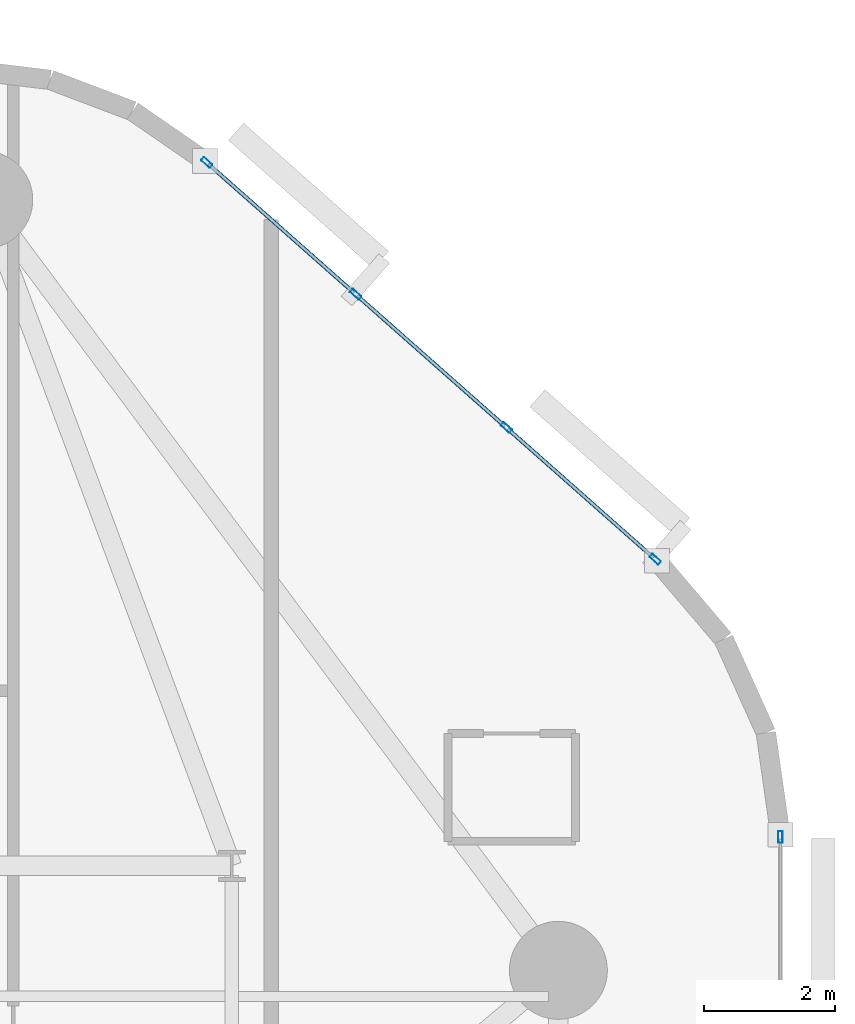
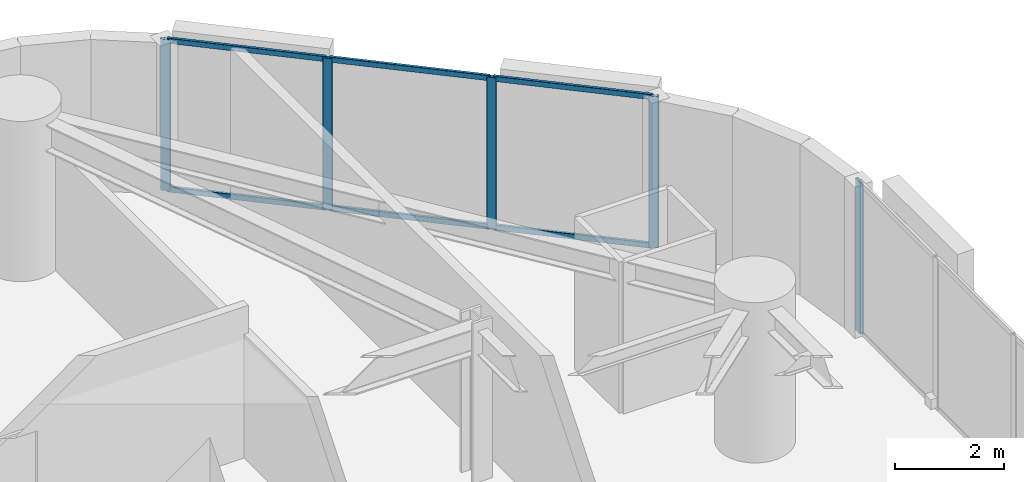
# One storey, part 8 of 17: 11 members, 2 elements without a shape of their own.
"""IFC4 building model written with IfcOpenShell, lengths in metres."""

from ifc_helpers import new_model, si_unit, direction, frame, origin, origin_2d, place, context, subcontext, project, spatial, hollow_rectangle, extrude, material, layer, layer_set, material_profile, profile_set, type_object, element, aggregate, save


model = new_model("IFC4")

# Units and contexts
model_context = context("Model", 3, precision=1e-05, world=origin(), true_north=direction((0.0, 1.0)))
body_context = subcontext(model_context, "Body", "Model", "MODEL_VIEW")
ifc_project = project(units=[si_unit("LENGTHUNIT", "METRE"), si_unit("AREAUNIT", "SQUARE_METRE"), si_unit("VOLUMEUNIT", "CUBIC_METRE"), si_unit("PLANEANGLEUNIT", "RADIAN"), si_unit("MASSUNIT", "GRAM", prefix="KILO")], contexts=[model_context])

# Site, building, storey
site_placement = place(None, origin())
site = spatial("IfcSite", under=ifc_project, at=site_placement, CompositionType="ELEMENT")
building_placement = place(site_placement, origin())
building = spatial("IfcBuilding", under=site, at=building_placement, Name="An Khanh Terracotta Commons", CompositionType="ELEMENT")
storey_placement = place(building_placement, frame((0.0, 0.0, 32.39990234375)))
storey = spatial("IfcBuildingStorey", under=building, at=storey_placement, Name="L08", CompositionType="ELEMENT", Elevation=32.39990234375)

# Curtain wall, member
ifc_material = material(Name="Anodised Aluminium 6063-T6", Category="aluminium")
ifc_layer = layer(ifc_material, 0.199951171875, Name="Anodised Aluminium 6063-T6")
ifc_layer_set = layer_set([ifc_layer], Name="Anodised Aluminium 6063-T6")
curtain_wall_type = type_object("IfcCurtainWallType", Name="CW-SYS-02", PredefinedType="USERDEFINED", material=ifc_layer_set)
curtain_wall_1_placement = place(storey_placement, origin())
curtain_wall_1 = element("IfcCurtainWall", 1, at=curtain_wall_1_placement, inside=storey, type_object=curtain_wall_type, Name="L08 CW-02 Unitised Curtain Wall CW-L08-12", ObjectType="UNITISED CURTAIN WALL", PredefinedType="USERDEFINED")
ifc_material_profile_1 = material_profile(ifc_material, hollow_rectangle(XDim=0.070068359375, YDim=0.179931640625, WallThickness=0.00390625, InnerFilletRadius=0.00390625, OuterFilletRadius=0.008056640625, at=origin_2d()), Name="RHS180x70x4")
ifc_profile_set_1 = profile_set([ifc_material_profile_1], Name="Anodised Aluminium 6063-T6")
member_type_1 = type_object("IfcMemberType", Name="CWM-RHS180x70x4", PredefinedType="MULLION", material=ifc_profile_set_1)
member_1_placement = place(storey_placement, frame((51.60009765625, 34.0419921875, 0.0), z_axis=(0.0, 0.0, 1.0), x_axis=(-1.0, 0.0, 0.0)))
member_1 = element("IfcMember", 2, at=member_1_placement, type_object=member_type_1, Name="CW-02 mullion 8", PredefinedType="MULLION", context=body_context, shape_type="SweptSolid", body=[
    extrude(hollow_rectangle(XDim=0.070068359375, YDim=0.179931640625, WallThickness=0.00390625, InnerFilletRadius=0.00390625, OuterFilletRadius=0.008056640625, at=origin_2d()), origin(), (0.0, 0.0, 1.0), 3.400146484375),
])
aggregate(curtain_wall_1, [member_1])

# Curtain wall, members
curtain_wall_2_placement = place(storey_placement, origin())
curtain_wall_2 = element("IfcCurtainWall", 3, at=curtain_wall_2_placement, inside=storey, type_object=curtain_wall_type, Name="L08 CW-02 Unitised Curtain Wall CW-L08-16", ObjectType="UNITISED CURTAIN WALL", PredefinedType="USERDEFINED")
member_2_placement = place(storey_placement, frame((49.683837890625, 38.295166015625, 0.0), z_axis=(0.0, 0.0, 1.0), x_axis=(-0.662548195415, -0.749019284633, 0.0)))
member_2 = element("IfcMember", 4, at=member_2_placement, type_object=member_type_1, Name="CW-02 mullion 1", PredefinedType="MULLION", context=body_context, shape_type="SweptSolid", body=[
    extrude(hollow_rectangle(XDim=0.070068359375, YDim=0.179931640625, WallThickness=0.00390625, InnerFilletRadius=0.00390625, OuterFilletRadius=0.008056640625, at=origin_2d()), origin(), (0.0, 0.0, 1.0), 3.400146484375),
])
member_3_placement = place(storey_placement, frame((47.403076171875, 40.312744140625, 0.0), z_axis=(0.0, 0.0, 1.0), x_axis=(-0.662548195415, -0.749019284633, 0.0)))
member_3 = element("IfcMember", 5, at=member_3_placement, type_object=member_type_1, Name="CW-02 mullion 2", PredefinedType="MULLION", context=body_context, shape_type="SweptSolid", body=[
    extrude(hollow_rectangle(XDim=0.070068359375, YDim=0.179931640625, WallThickness=0.00390625, InnerFilletRadius=0.00390625, OuterFilletRadius=0.008056640625, at=origin_2d()), origin(), (0.0, 0.0, 1.0), 3.400146484375),
])
member_4_placement = place(storey_placement, frame((45.095947265625, 42.353271484375, 0.0), z_axis=(0.0, 0.0, 1.0), x_axis=(-0.662548195415, -0.749019284633, 0.0)))
member_4 = element("IfcMember", 6, at=member_4_placement, type_object=member_type_1, Name="CW-02 mullion 3", PredefinedType="MULLION", context=body_context, shape_type="SweptSolid", body=[
    extrude(hollow_rectangle(XDim=0.070068359375, YDim=0.179931640625, WallThickness=0.00390625, InnerFilletRadius=0.00390625, OuterFilletRadius=0.008056640625, at=origin_2d()), origin(), (0.0, 0.0, 1.0), 3.400146484375),
])
member_5_placement = place(storey_placement, frame((42.815185546875, 44.370849609375, 0.0), z_axis=(0.0, 0.0, 1.0), x_axis=(-0.662548195415, -0.749019284633, 0.0)))
member_5 = element("IfcMember", 7, at=member_5_placement, type_object=member_type_1, Name="CW-02 mullion 4", PredefinedType="MULLION", context=body_context, shape_type="SweptSolid", body=[
    extrude(hollow_rectangle(XDim=0.070068359375, YDim=0.179931640625, WallThickness=0.00390625, InnerFilletRadius=0.00390625, OuterFilletRadius=0.008056640625, at=origin_2d()), origin(), (0.0, 0.0, 1.0), 3.400146484375),
])
ifc_material_profile_2 = material_profile(ifc_material, hollow_rectangle(XDim=0.06005859375, YDim=0.1201171875, WallThickness=0.003662109375, InnerFilletRadius=0.003662109375, OuterFilletRadius=0.007080078125, at=origin_2d()), Name="RHS120x60x3.6")
ifc_profile_set_2 = profile_set([ifc_material_profile_2], Name="Anodised Aluminium 6063-T6")
member_type_2 = type_object("IfcMemberType", Name="CWT-RHS120x60x3.6", PredefinedType="USERDEFINED", material=ifc_profile_set_2)
member_6_placement = place(storey_placement, frame((49.657470703125, 38.318359375, 0.030029296875), z_axis=(-0.74899186341, 0.662579194168, 0.0), x_axis=(-0.662579194168, -0.74899186341, 0.0)))
member_6 = element("IfcMember", 8, at=member_6_placement, type_object=member_type_2, Name="CW-02 transom 1.1", ObjectType="TRANSOM", PredefinedType="USERDEFINED", context=body_context, shape_type="SweptSolid", body=[
    extrude(hollow_rectangle(XDim=0.06005859375, YDim=0.1201171875, WallThickness=0.003662109375, InnerFilletRadius=0.003662109375, OuterFilletRadius=0.007080078125, at=origin_2d()), origin(), (0.0, 0.0, 1.0), 2.97509765625),
])
member_7_placement = place(storey_placement, frame((49.657470703125, 38.318359375, 3.3701171875), z_axis=(-0.74899186341, 0.662579194168, 0.0), x_axis=(-0.662579194168, -0.74899186341, 0.0)))
member_7 = element("IfcMember", 9, at=member_7_placement, type_object=member_type_2, Name="CW-02 transom 1.2", ObjectType="TRANSOM", PredefinedType="USERDEFINED", context=body_context, shape_type="SweptSolid", body=[
    extrude(hollow_rectangle(XDim=0.06005859375, YDim=0.1201171875, WallThickness=0.003662109375, InnerFilletRadius=0.003662109375, OuterFilletRadius=0.007080078125, at=origin_2d()), origin(), (0.0, 0.0, 1.0), 2.97509765625),
])
member_8_placement = place(storey_placement, frame((47.376708984375, 40.3359375, 0.030029296875), z_axis=(-0.749018237701, 0.662549378984, 0.0), x_axis=(-0.662549378984, -0.749018237701, 0.0)))
member_8 = element("IfcMember", 10, at=member_8_placement, type_object=member_type_2, Name="CW-02 transom 2.1", ObjectType="TRANSOM", PredefinedType="USERDEFINED", context=body_context, shape_type="SweptSolid", body=[
    extrude(hollow_rectangle(XDim=0.06005859375, YDim=0.1201171875, WallThickness=0.003662109375, InnerFilletRadius=0.003662109375, OuterFilletRadius=0.007080078125, at=origin_2d()), origin(), (0.0, 0.0, 1.0), 3.009765625),
])
member_9_placement = place(storey_placement, frame((47.376708984375, 40.3359375, 3.3701171875), z_axis=(-0.749018237701, 0.662549378984, 0.0), x_axis=(-0.662549378984, -0.749018237701, 0.0)))
member_9 = element("IfcMember", 11, at=member_9_placement, type_object=member_type_2, Name="CW-02 transom 2.2", ObjectType="TRANSOM", PredefinedType="USERDEFINED", context=body_context, shape_type="SweptSolid", body=[
    extrude(hollow_rectangle(XDim=0.06005859375, YDim=0.1201171875, WallThickness=0.003662109375, InnerFilletRadius=0.003662109375, OuterFilletRadius=0.007080078125, at=origin_2d()), origin(), (0.0, 0.0, 1.0), 3.009765625),
])
member_10_placement = place(storey_placement, frame((45.06982421875, 42.37646484375, 0.030029296875), z_axis=(-0.74899186341, 0.662579194168, 0.0), x_axis=(-0.662579194168, -0.74899186341, 0.0)))
member_10 = element("IfcMember", 12, at=member_10_placement, type_object=member_type_2, Name="CW-02 transom 3.1", ObjectType="TRANSOM", PredefinedType="USERDEFINED", context=body_context, shape_type="SweptSolid", body=[
    extrude(hollow_rectangle(XDim=0.06005859375, YDim=0.1201171875, WallThickness=0.003662109375, InnerFilletRadius=0.003662109375, OuterFilletRadius=0.007080078125, at=origin_2d()), origin(), (0.0, 0.0, 1.0), 2.97509765625),
])
member_11_placement = place(storey_placement, frame((45.06982421875, 42.37646484375, 3.3701171875), z_axis=(-0.74899186341, 0.662579194168, 0.0), x_axis=(-0.662579194168, -0.74899186341, 0.0)))
member_11 = element("IfcMember", 13, at=member_11_placement, type_object=member_type_2, Name="CW-02 transom 3.2", ObjectType="TRANSOM", PredefinedType="USERDEFINED", context=body_context, shape_type="SweptSolid", body=[
    extrude(hollow_rectangle(XDim=0.06005859375, YDim=0.1201171875, WallThickness=0.003662109375, InnerFilletRadius=0.003662109375, OuterFilletRadius=0.007080078125, at=origin_2d()), origin(), (0.0, 0.0, 1.0), 2.97509765625),
])
aggregate(curtain_wall_2, [member_2, member_3, member_4, member_5, member_6, member_7, member_8, member_9, member_10, member_11])

save(model, "model.ifc")
